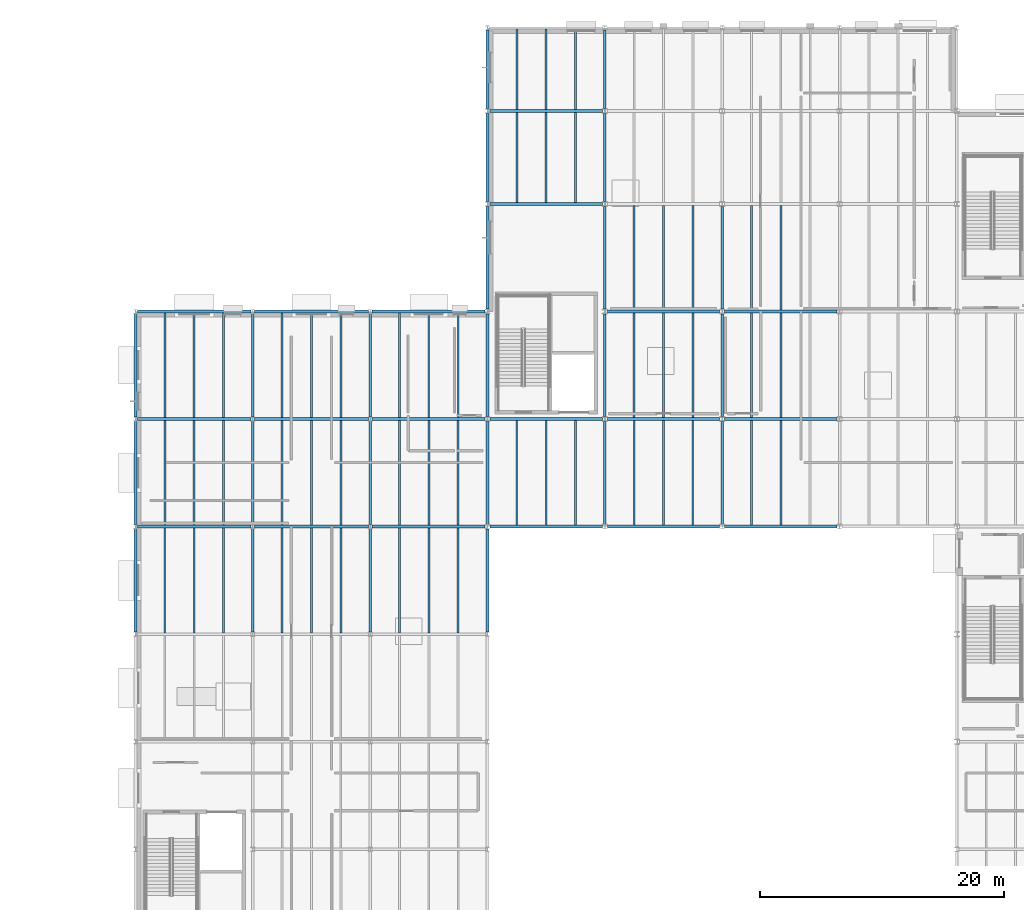
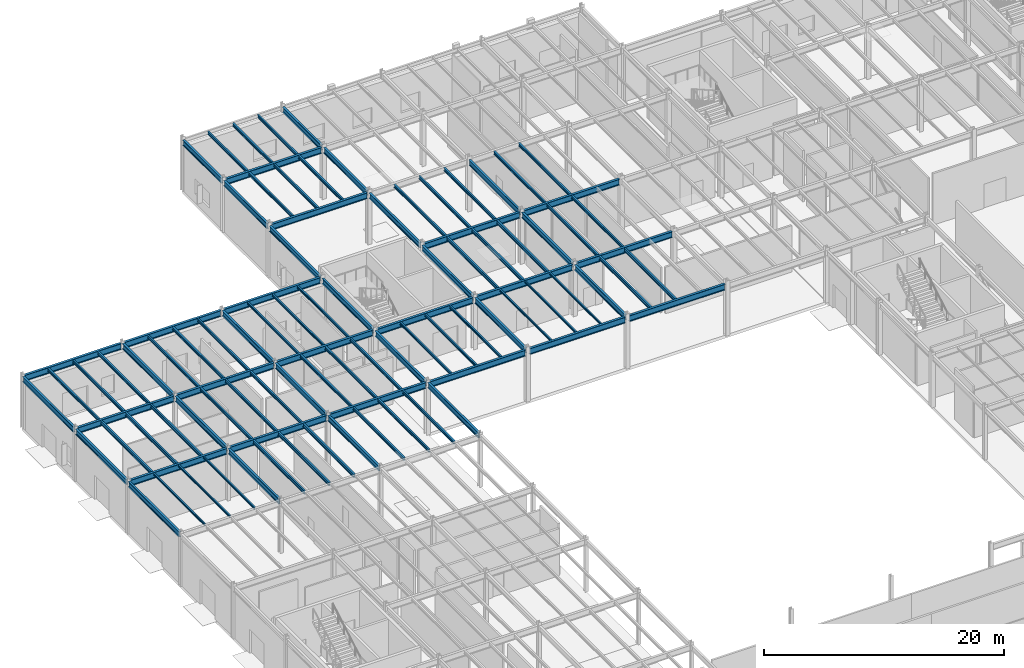
# One storey, part 23 of 70: 93 beams.
"""IFC4 building model written with IfcOpenShell, lengths in metres."""

from ifc_helpers import new_model, si_unit, direction, frame, origin, origin_2d, place, context, subcontext, project, spatial, i_section, extrude, material, material_profile, profile_set, type_object, element, save


model = new_model("IFC4")

# Units and contexts
model_context = context("Model", 3, precision=1e-05, world=origin(), true_north=direction((0.0, 1.0)))
body_context = subcontext(model_context, "Body", "Model", "MODEL_VIEW")
ifc_project = project(units=[si_unit("LENGTHUNIT", "METRE"), si_unit("AREAUNIT", "SQUARE_METRE"), si_unit("VOLUMEUNIT", "CUBIC_METRE"), si_unit("PLANEANGLEUNIT", "RADIAN"), si_unit("MASSUNIT", "GRAM", prefix="KILO")], contexts=[model_context])

# Site, building, storey
site_placement = place(None, origin())
site = spatial("IfcSite", under=ifc_project, at=site_placement, CompositionType="ELEMENT")
building_placement = place(site_placement, origin())
building = spatial("IfcBuilding", under=site, at=building_placement, Name="Sarnbrook Museum", CompositionType="ELEMENT")
storey_placement = place(building_placement, origin())
storey = spatial("IfcBuildingStorey", under=building, at=storey_placement, Name="L00", CompositionType="ELEMENT", Elevation=0.0)

# Beams
ifc_material = material(Name="Structural Steel Grade 300PLUS (AS/NZS 3679.1, fy = 280 MPa for 17 < t <= 40 mm, 300 MPa for t <= 17 mm)", Category="steel")
ifc_material_profile_1 = material_profile(ifc_material, i_section(OverallWidth=0.208984375, OverallDepth=0.532958984375, WebThickness=0.01025390625, FlangeThickness=0.015625, FilletRadius=0.013916015625, at=origin_2d()), Name="530UB92.4")
ifc_profile_set_1 = profile_set([ifc_material_profile_1], Name="Structural Steel Grade 300PLUS (AS/NZS 3679.1, fy = 280 MPa for 17 < t <= 40 mm, 300 MPa for t <= 17 mm)")
beam_type_1 = type_object("IfcBeamType", Name="BM-UB530", PredefinedType="BEAM", material=ifc_profile_set_1)
for number, where, z_axis, x_axis, name in (
    (1, (13.60009765625, 65.763427734375, 5.08349609375), (0.0, 1.0, 0.0), (-1.0, 0.0, 0.0), "Girder 2:H-J L00"),
    (2, (13.60009765625, 74.5634765625, 5.08349609375), (0.0, 1.0, 0.0), (-1.0, 0.0, 0.0), "Girder 2:J-K L00"),
):
    element("IfcBeam", number, at=place(storey_placement, frame(where, z_axis=z_axis, x_axis=x_axis)), inside=storey, type_object=beam_type_1, Name=name, PredefinedType="BEAM", context=body_context, shape_type="SweptSolid", body=[
        extrude(i_section(OverallWidth=0.208984375, OverallDepth=0.532958984375, WebThickness=0.01025390625, FlangeThickness=0.015625, FilletRadius=0.013916015625, at=origin_2d()), origin(), (0.0, 0.0, 1.0), 8.47314453125),
    ])
beam_1_placement = place(storey_placement, frame((13.60009765625, 83.363525390625, 5.08349609375), z_axis=(0.0, 1.0, 0.0), x_axis=(-1.0, 0.0, 0.0)))
element("IfcBeam", 3, at=beam_1_placement, inside=storey, type_object=beam_type_1, Name="Girder 2:K-L L00", PredefinedType="BEAM", context=body_context, shape_type="SweptSolid", body=[
    extrude(i_section(OverallWidth=0.208984375, OverallDepth=0.532958984375, WebThickness=0.01025390625, FlangeThickness=0.015625, FilletRadius=0.013916015625, at=origin_2d()), origin(), (0.0, 0.0, 1.0), 8.472900390625),
])
for number, where, z_axis, x_axis, name in (
    (4, (23.199951171875, 65.763427734375, 5.08349609375), (0.0, 1.0, 0.0), (-1.0, 0.0, 0.0), "Girder 3:H-J L00"),
    (5, (23.199951171875, 74.5634765625, 5.08349609375), (0.0, 1.0, 0.0), (-1.0, 0.0, 0.0), "Girder 3:J-K L00"),
):
    element("IfcBeam", number, at=place(storey_placement, frame(where, z_axis=z_axis, x_axis=x_axis)), inside=storey, type_object=beam_type_1, Name=name, PredefinedType="BEAM", context=body_context, shape_type="SweptSolid", body=[
        extrude(i_section(OverallWidth=0.208984375, OverallDepth=0.532958984375, WebThickness=0.01025390625, FlangeThickness=0.015625, FilletRadius=0.013916015625, at=origin_2d()), origin(), (0.0, 0.0, 1.0), 8.47314453125),
    ])
beam_2_placement = place(storey_placement, frame((23.199951171875, 83.363525390625, 5.08349609375), z_axis=(0.0, 1.0, 0.0), x_axis=(-1.0, 0.0, 0.0)))
element("IfcBeam", 6, at=beam_2_placement, inside=storey, type_object=beam_type_1, Name="Girder 3:K-L L00", PredefinedType="BEAM", context=body_context, shape_type="SweptSolid", body=[
    extrude(i_section(OverallWidth=0.208984375, OverallDepth=0.532958984375, WebThickness=0.01025390625, FlangeThickness=0.015625, FilletRadius=0.013916015625, at=origin_2d()), origin(), (0.0, 0.0, 1.0), 8.472900390625),
])
for number, where, z_axis, x_axis, name in (
    (7, (32.800048828125, 65.763427734375, 5.08349609375), (0.0, 1.0, 0.0), (-1.0, 0.0, 0.0), "Girder 4:H-J L00"),
    (8, (32.800048828125, 74.5634765625, 5.08349609375), (0.0, 1.0, 0.0), (-1.0, 0.0, 0.0), "Girder 4:J-K L00"),
):
    element("IfcBeam", number, at=place(storey_placement, frame(where, z_axis=z_axis, x_axis=x_axis)), inside=storey, type_object=beam_type_1, Name=name, PredefinedType="BEAM", context=body_context, shape_type="SweptSolid", body=[
        extrude(i_section(OverallWidth=0.208984375, OverallDepth=0.532958984375, WebThickness=0.01025390625, FlangeThickness=0.015625, FilletRadius=0.013916015625, at=origin_2d()), origin(), (0.0, 0.0, 1.0), 8.47314453125),
    ])
beam_3_placement = place(storey_placement, frame((32.800048828125, 83.363525390625, 5.08349609375), z_axis=(0.0, 1.0, 0.0), x_axis=(-1.0, 0.0, 0.0)))
element("IfcBeam", 9, at=beam_3_placement, inside=storey, type_object=beam_type_1, Name="Girder 4:K-L L00", PredefinedType="BEAM", context=body_context, shape_type="SweptSolid", body=[
    extrude(i_section(OverallWidth=0.208984375, OverallDepth=0.532958984375, WebThickness=0.01025390625, FlangeThickness=0.015625, FilletRadius=0.013916015625, at=origin_2d()), origin(), (0.0, 0.0, 1.0), 8.472900390625),
])
beam_4_placement = place(storey_placement, frame((42.39990234375, 65.763427734375, 5.08349609375), z_axis=(0.0, 1.0, 0.0), x_axis=(-1.0, 0.0, 0.0)))
element("IfcBeam", 10, at=beam_4_placement, inside=storey, type_object=beam_type_1, Name="Girder 5:H-J L00", PredefinedType="BEAM", context=body_context, shape_type="SweptSolid", body=[
    extrude(i_section(OverallWidth=0.208984375, OverallDepth=0.532958984375, WebThickness=0.01025390625, FlangeThickness=0.015625, FilletRadius=0.013916015625, at=origin_2d()), origin(), (0.0, 0.0, 1.0), 8.445556640625),
])
for number, where, z_axis, x_axis, name in (
    (11, (42.39990234375, 74.591064453125, 5.013427734375), (0.0, 1.0, 0.0), (-1.0, 0.0, 0.0), "Girder 5:J-K L00"),
    (12, (42.39990234375, 83.39111328125, 5.013427734375), (0.0, 1.0, 0.0), (-1.0, 0.0, 0.0), "Girder 5:K-L L00"),
    (13, (42.39990234375, 92.19091796875, 5.013427734375), (0.0, 1.0, 0.0), (-1.0, 0.0, 0.0), "Girder 5:L-M L00"),
):
    element("IfcBeam", number, at=place(storey_placement, frame(where, z_axis=z_axis, x_axis=x_axis)), inside=storey, type_object=beam_type_1, Name=name, PredefinedType="BEAM", context=body_context, shape_type="SweptSolid", body=[
        extrude(i_section(OverallWidth=0.208984375, OverallDepth=0.532958984375, WebThickness=0.01025390625, FlangeThickness=0.015625, FilletRadius=0.013916015625, at=origin_2d()), origin(), (0.0, 0.0, 1.0), 8.41796875),
    ])
beam_5_placement = place(storey_placement, frame((42.39990234375, 100.990966796875, 5.013427734375), z_axis=(0.0, 1.0, 0.0), x_axis=(-1.0, 0.0, 0.0)))
element("IfcBeam", 14, at=beam_5_placement, inside=storey, type_object=beam_type_1, Name="Girder 5:M-N L00", PredefinedType="BEAM", context=body_context, shape_type="SweptSolid", body=[
    extrude(i_section(OverallWidth=0.208984375, OverallDepth=0.532958984375, WebThickness=0.01025390625, FlangeThickness=0.015625, FilletRadius=0.013916015625, at=origin_2d()), origin(), (0.0, 0.0, 1.0), 7.218017578125),
])
beam_6_placement = place(storey_placement, frame((42.39990234375, 108.591064453125, 5.013427734375), z_axis=(0.0, 1.0, 0.0), x_axis=(-1.0, 0.0, 0.0)))
element("IfcBeam", 15, at=beam_6_placement, inside=storey, type_object=beam_type_1, Name="Girder 5:N-P L00", PredefinedType="BEAM", context=body_context, shape_type="SweptSolid", body=[
    extrude(i_section(OverallWidth=0.208984375, OverallDepth=0.532958984375, WebThickness=0.01025390625, FlangeThickness=0.015625, FilletRadius=0.013916015625, at=origin_2d()), origin(), (0.0, 0.0, 1.0), 6.445556640625),
])
for number, where, z_axis, x_axis, name in (
    (16, (52.0, 74.591064453125, 5.013427734375), (0.0, 1.0, 0.0), (-1.0, 0.0, 0.0), "Girder 6:J-K L00"),
    (17, (52.0, 83.39111328125, 5.013427734375), (0.0, 1.0, 0.0), (-1.0, 0.0, 0.0), "Girder 6:K-L L00"),
    (18, (52.0, 92.19091796875, 5.013427734375), (0.0, 1.0, 0.0), (-1.0, 0.0, 0.0), "Girder 6:L-M L00"),
):
    element("IfcBeam", number, at=place(storey_placement, frame(where, z_axis=z_axis, x_axis=x_axis)), inside=storey, type_object=beam_type_1, Name=name, PredefinedType="BEAM", context=body_context, shape_type="SweptSolid", body=[
        extrude(i_section(OverallWidth=0.208984375, OverallDepth=0.532958984375, WebThickness=0.01025390625, FlangeThickness=0.015625, FilletRadius=0.013916015625, at=origin_2d()), origin(), (0.0, 0.0, 1.0), 8.41796875),
    ])
beam_7_placement = place(storey_placement, frame((52.0, 100.990966796875, 5.013427734375), z_axis=(0.0, 1.0, 0.0), x_axis=(-1.0, 0.0, 0.0)))
element("IfcBeam", 19, at=beam_7_placement, inside=storey, type_object=beam_type_1, Name="Girder 6:M-N L00", PredefinedType="BEAM", context=body_context, shape_type="SweptSolid", body=[
    extrude(i_section(OverallWidth=0.208984375, OverallDepth=0.532958984375, WebThickness=0.01025390625, FlangeThickness=0.015625, FilletRadius=0.013916015625, at=origin_2d()), origin(), (0.0, 0.0, 1.0), 7.218017578125),
])
beam_8_placement = place(storey_placement, frame((52.0, 108.591064453125, 5.013427734375), z_axis=(0.0, 1.0, 0.0), x_axis=(-1.0, 0.0, 0.0)))
element("IfcBeam", 20, at=beam_8_placement, inside=storey, type_object=beam_type_1, Name="Girder 6:N-P L00", PredefinedType="BEAM", context=body_context, shape_type="SweptSolid", body=[
    extrude(i_section(OverallWidth=0.208984375, OverallDepth=0.532958984375, WebThickness=0.01025390625, FlangeThickness=0.015625, FilletRadius=0.013916015625, at=origin_2d()), origin(), (0.0, 0.0, 1.0), 6.445556640625),
])
for number, where, z_axis, x_axis, name in (
    (21, (61.60009765625, 74.591064453125, 5.013427734375), (0.0, 1.0, 0.0), (-1.0, 0.0, 0.0), "Girder 7:J-K L00"),
    (22, (61.60009765625, 83.39111328125, 5.013427734375), (0.0, 1.0, 0.0), (-1.0, 0.0, 0.0), "Girder 7:K-L L00"),
    (23, (61.60009765625, 92.19091796875, 5.013427734375), (0.0, 1.0, 0.0), (-1.0, 0.0, 0.0), "Girder 7:L-M L00"),
):
    element("IfcBeam", number, at=place(storey_placement, frame(where, z_axis=z_axis, x_axis=x_axis)), inside=storey, type_object=beam_type_1, Name=name, PredefinedType="BEAM", context=body_context, shape_type="SweptSolid", body=[
        extrude(i_section(OverallWidth=0.208984375, OverallDepth=0.532958984375, WebThickness=0.01025390625, FlangeThickness=0.015625, FilletRadius=0.013916015625, at=origin_2d()), origin(), (0.0, 0.0, 1.0), 8.41796875),
    ])
ifc_material_profile_2 = material_profile(ifc_material, i_section(OverallWidth=0.22900390625, OverallDepth=0.612060546875, WebThickness=0.011962890625, FlangeThickness=0.01953125, FilletRadius=0.013916015625, at=origin_2d()), Name="610UB125")
ifc_profile_set_2 = profile_set([ifc_material_profile_2], Name="Structural Steel Grade 300PLUS (AS/NZS 3679.1, fy = 280 MPa for 17 < t <= 40 mm, 300 MPa for t <= 17 mm)")
beam_type_2 = type_object("IfcBeamType", Name="BM-UB610H", PredefinedType="BEAM", material=ifc_profile_set_2)
beam_9_placement = place(storey_placement, frame((13.755615234375, 74.39990234375, 5.0439453125), z_axis=(1.0, 0.0, 0.0), x_axis=(0.0, 1.0, 0.0)))
element("IfcBeam", 24, at=beam_9_placement, inside=storey, type_object=beam_type_2, Name="Girder J:2-3 L00", PredefinedType="BEAM", context=body_context, shape_type="SweptSolid", body=[
    extrude(i_section(OverallWidth=0.22900390625, OverallDepth=0.612060546875, WebThickness=0.011962890625, FlangeThickness=0.01953125, FilletRadius=0.013916015625, at=origin_2d()), origin(), (0.0, 0.0, 1.0), 9.288818359375),
])
beam_10_placement = place(storey_placement, frame((23.35546875, 74.39990234375, 5.0439453125), z_axis=(1.0, 0.0, 0.0), x_axis=(0.0, 1.0, 0.0)))
element("IfcBeam", 25, at=beam_10_placement, inside=storey, type_object=beam_type_2, Name="Girder J:3-4 L00", PredefinedType="BEAM", context=body_context, shape_type="SweptSolid", body=[
    extrude(i_section(OverallWidth=0.22900390625, OverallDepth=0.612060546875, WebThickness=0.011962890625, FlangeThickness=0.01953125, FilletRadius=0.013916015625, at=origin_2d()), origin(), (0.0, 0.0, 1.0), 9.2890625),
])
beam_11_placement = place(storey_placement, frame((32.95556640625, 74.39990234375, 5.0439453125), z_axis=(1.0, 0.0, 0.0), x_axis=(0.0, 1.0, 0.0)))
element("IfcBeam", 26, at=beam_11_placement, inside=storey, type_object=beam_type_2, Name="Girder J:4-5 L00", PredefinedType="BEAM", context=body_context, shape_type="SweptSolid", body=[
    extrude(i_section(OverallWidth=0.22900390625, OverallDepth=0.612060546875, WebThickness=0.011962890625, FlangeThickness=0.01953125, FilletRadius=0.013916015625, at=origin_2d()), origin(), (0.0, 0.0, 1.0), 9.244384765625),
])
for number, where, z_axis, x_axis, name in (
    (27, (42.60009765625, 74.39990234375, 4.97412109375), (1.0, 0.0, 0.0), (0.0, 1.0, 0.0), "Girder J:5-6 L00"),
    (28, (52.199951171875, 74.39990234375, 4.97412109375), (1.0, 0.0, 0.0), (0.0, 1.0, 0.0), "Girder J:6-7 L00"),
    (29, (61.800048828125, 74.39990234375, 4.97412109375), (1.0, 0.0, 0.0), (0.0, 1.0, 0.0), "Girder J:7-8 L00"),
):
    element("IfcBeam", number, at=place(storey_placement, frame(where, z_axis=z_axis, x_axis=x_axis)), inside=storey, type_object=beam_type_2, Name=name, PredefinedType="BEAM", context=body_context, shape_type="SweptSolid", body=[
        extrude(i_section(OverallWidth=0.22900390625, OverallDepth=0.612060546875, WebThickness=0.011962890625, FlangeThickness=0.01953125, FilletRadius=0.013916015625, at=origin_2d()), origin(), (0.0, 0.0, 1.0), 9.199951171875),
    ])
beam_12_placement = place(storey_placement, frame((13.755615234375, 83.199951171875, 5.0439453125), z_axis=(1.0, 0.0, 0.0), x_axis=(0.0, 1.0, 0.0)))
element("IfcBeam", 30, at=beam_12_placement, inside=storey, type_object=beam_type_2, Name="Girder K:2-3 L00", PredefinedType="BEAM", context=body_context, shape_type="SweptSolid", body=[
    extrude(i_section(OverallWidth=0.22900390625, OverallDepth=0.612060546875, WebThickness=0.011962890625, FlangeThickness=0.01953125, FilletRadius=0.013916015625, at=origin_2d()), origin(), (0.0, 0.0, 1.0), 9.288818359375),
])
beam_13_placement = place(storey_placement, frame((23.35546875, 83.199951171875, 5.0439453125), z_axis=(1.0, 0.0, 0.0), x_axis=(0.0, 1.0, 0.0)))
element("IfcBeam", 31, at=beam_13_placement, inside=storey, type_object=beam_type_2, Name="Girder K:3-4 L00", PredefinedType="BEAM", context=body_context, shape_type="SweptSolid", body=[
    extrude(i_section(OverallWidth=0.22900390625, OverallDepth=0.612060546875, WebThickness=0.011962890625, FlangeThickness=0.01953125, FilletRadius=0.013916015625, at=origin_2d()), origin(), (0.0, 0.0, 1.0), 9.2890625),
])
beam_14_placement = place(storey_placement, frame((32.95556640625, 83.199951171875, 5.0439453125), z_axis=(1.0, 0.0, 0.0), x_axis=(0.0, 1.0, 0.0)))
element("IfcBeam", 32, at=beam_14_placement, inside=storey, type_object=beam_type_2, Name="Girder K:4-5 L00", PredefinedType="BEAM", context=body_context, shape_type="SweptSolid", body=[
    extrude(i_section(OverallWidth=0.22900390625, OverallDepth=0.612060546875, WebThickness=0.011962890625, FlangeThickness=0.01953125, FilletRadius=0.013916015625, at=origin_2d()), origin(), (0.0, 0.0, 1.0), 9.244384765625),
])
for number, where, z_axis, x_axis, name in (
    (33, (42.60009765625, 83.199951171875, 4.97412109375), (1.0, 0.0, 0.0), (0.0, 1.0, 0.0), "Girder K:5-6 L00"),
    (34, (52.199951171875, 83.199951171875, 4.97412109375), (1.0, 0.0, 0.0), (0.0, 1.0, 0.0), "Girder K:6-7 L00"),
    (35, (61.800048828125, 83.199951171875, 4.97412109375), (1.0, 0.0, 0.0), (0.0, 1.0, 0.0), "Girder K:7-8 L00"),
):
    element("IfcBeam", number, at=place(storey_placement, frame(where, z_axis=z_axis, x_axis=x_axis)), inside=storey, type_object=beam_type_2, Name=name, PredefinedType="BEAM", context=body_context, shape_type="SweptSolid", body=[
        extrude(i_section(OverallWidth=0.22900390625, OverallDepth=0.612060546875, WebThickness=0.011962890625, FlangeThickness=0.01953125, FilletRadius=0.013916015625, at=origin_2d()), origin(), (0.0, 0.0, 1.0), 9.199951171875),
    ])
beam_15_placement = place(storey_placement, frame((13.755615234375, 92.0, 5.0439453125), z_axis=(1.0, 0.0, 0.0), x_axis=(0.0, 1.0, 0.0)))
element("IfcBeam", 36, at=beam_15_placement, inside=storey, type_object=beam_type_2, Name="Girder L:2-3 L00", PredefinedType="BEAM", context=body_context, shape_type="SweptSolid", body=[
    extrude(i_section(OverallWidth=0.22900390625, OverallDepth=0.612060546875, WebThickness=0.011962890625, FlangeThickness=0.01953125, FilletRadius=0.013916015625, at=origin_2d()), origin(), (0.0, 0.0, 1.0), 9.288818359375),
])
beam_16_placement = place(storey_placement, frame((23.35546875, 92.0, 5.0439453125), z_axis=(1.0, 0.0, 0.0), x_axis=(0.0, 1.0, 0.0)))
element("IfcBeam", 37, at=beam_16_placement, inside=storey, type_object=beam_type_2, Name="Girder L:3-4 L00", PredefinedType="BEAM", context=body_context, shape_type="SweptSolid", body=[
    extrude(i_section(OverallWidth=0.22900390625, OverallDepth=0.612060546875, WebThickness=0.011962890625, FlangeThickness=0.01953125, FilletRadius=0.013916015625, at=origin_2d()), origin(), (0.0, 0.0, 1.0), 9.2890625),
])
beam_17_placement = place(storey_placement, frame((32.95556640625, 92.0, 5.0439453125), z_axis=(1.0, 0.0, 0.0), x_axis=(0.0, 1.0, 0.0)))
element("IfcBeam", 38, at=beam_17_placement, inside=storey, type_object=beam_type_2, Name="Girder L:4-5 L00", PredefinedType="BEAM", context=body_context, shape_type="SweptSolid", body=[
    extrude(i_section(OverallWidth=0.22900390625, OverallDepth=0.612060546875, WebThickness=0.011962890625, FlangeThickness=0.01953125, FilletRadius=0.013916015625, at=origin_2d()), origin(), (0.0, 0.0, 1.0), 9.244384765625),
])
for number, where, z_axis, x_axis, name in (
    (39, (52.199951171875, 92.0, 4.97412109375), (1.0, 0.0, 0.0), (0.0, 1.0, 0.0), "Girder L:6-7 L00"),
    (40, (61.800048828125, 92.0, 4.97412109375), (1.0, 0.0, 0.0), (0.0, 1.0, 0.0), "Girder L:7-8 L00"),
    (41, (42.60009765625, 100.800048828125, 4.97412109375), (1.0, 0.0, 0.0), (0.0, 1.0, 0.0), "Girder M:5-6 L00"),
    (42, (42.60009765625, 108.39990234375, 4.97412109375), (1.0, 0.0, 0.0), (0.0, 1.0, 0.0), "Girder N:5-6 L00"),
):
    element("IfcBeam", number, at=place(storey_placement, frame(where, z_axis=z_axis, x_axis=x_axis)), inside=storey, type_object=beam_type_2, Name=name, PredefinedType="BEAM", context=body_context, shape_type="SweptSolid", body=[
        extrude(i_section(OverallWidth=0.22900390625, OverallDepth=0.612060546875, WebThickness=0.011962890625, FlangeThickness=0.01953125, FilletRadius=0.013916015625, at=origin_2d()), origin(), (0.0, 0.0, 1.0), 9.199951171875),
    ])
ifc_material_profile_3 = material_profile(ifc_material, i_section(OverallWidth=0.134033203125, OverallDepth=0.20703125, WebThickness=0.00634765625, FlangeThickness=0.009521484375, FilletRadius=0.0087890625, at=origin_2d()), Name="200UB29.8")
ifc_profile_set_3 = profile_set([ifc_material_profile_3], Name="Structural Steel Grade 300PLUS (AS/NZS 3679.1, fy = 280 MPa for 17 < t <= 40 mm, 300 MPa for t <= 17 mm)")
beam_type_3 = type_object("IfcBeamType", Name="JS-UB200", PredefinedType="JOIST", material=ifc_profile_set_3)
for number, where, z_axis, x_axis, name in (
    (43, (16.0, 65.714599609375, 5.24658203125), (0.0, 1.0, 0.0), (-1.0, 0.0, 0.0), "Composite Floor Joist 2H-1 L00"),
    (44, (18.39990234375, 65.714599609375, 5.24658203125), (0.0, 1.0, 0.0), (-1.0, 0.0, 0.0), "Composite Floor Joist 2H-2 L00"),
    (45, (20.800048828125, 65.714599609375, 5.24658203125), (0.0, 1.0, 0.0), (-1.0, 0.0, 0.0), "Composite Floor Joist 2H-3 L00"),
):
    element("IfcBeam", number, at=place(storey_placement, frame(where, z_axis=z_axis, x_axis=x_axis)), inside=storey, type_object=beam_type_3, Name=name, PredefinedType="JOIST", context=body_context, shape_type="SweptSolid", body=[
        extrude(i_section(OverallWidth=0.134033203125, OverallDepth=0.20703125, WebThickness=0.00634765625, FlangeThickness=0.009521484375, FilletRadius=0.0087890625, at=origin_2d()), origin(), (0.0, 0.0, 1.0), 8.57080078125),
    ])
for number, where, z_axis, x_axis, name in (
    (46, (54.39990234375, 74.514404296875, 5.176513671875), (0.0, 1.0, 0.0), (-1.0, 0.0, 0.0), "Composite Floor Joist 6J-1 L00"),
    (47, (56.800048828125, 74.514404296875, 5.176513671875), (0.0, 1.0, 0.0), (-1.0, 0.0, 0.0), "Composite Floor Joist 6J-2 L00"),
    (48, (59.199951171875, 74.514404296875, 5.176513671875), (0.0, 1.0, 0.0), (-1.0, 0.0, 0.0), "Composite Floor Joist 6J-3 L00"),
):
    element("IfcBeam", number, at=place(storey_placement, frame(where, z_axis=z_axis, x_axis=x_axis)), inside=storey, type_object=beam_type_3, Name=name, PredefinedType="JOIST", context=body_context, shape_type="SweptSolid", body=[
        extrude(i_section(OverallWidth=0.134033203125, OverallDepth=0.20703125, WebThickness=0.00634765625, FlangeThickness=0.009521484375, FilletRadius=0.0087890625, at=origin_2d()), origin(), (0.0, 0.0, 1.0), 8.571044921875),
    ])
ifc_material_profile_4 = material_profile(ifc_material, i_section(OverallWidth=0.14599609375, OverallDepth=0.256103515625, WebThickness=0.00634765625, FlangeThickness=0.010986328125, FilletRadius=0.0087890625, at=origin_2d()), Name="250UB37.3")
ifc_profile_set_4 = profile_set([ifc_material_profile_4], Name="Structural Steel Grade 300PLUS (AS/NZS 3679.1, fy = 280 MPa for 17 < t <= 40 mm, 300 MPa for t <= 17 mm)")
beam_type_4 = type_object("IfcBeamType", Name="JS-UB250", PredefinedType="JOIST", material=ifc_profile_set_4)
for number, where, z_axis, x_axis, name in (
    (49, (35.199951171875, 83.314453125, 5.221923828125), (0.0, 1.0, 0.0), (-1.0, 0.0, 0.0), "Composite Floor Joist 4K-1 L00"),
    (50, (37.60009765625, 83.314453125, 5.221923828125), (0.0, 1.0, 0.0), (-1.0, 0.0, 0.0), "Composite Floor Joist 4K-2 L00"),
    (51, (40.0, 83.314453125, 5.221923828125), (0.0, 1.0, 0.0), (-1.0, 0.0, 0.0), "Composite Floor Joist 4K-3 L00"),
    (52, (44.800048828125, 74.514404296875, 5.152099609375), (0.0, 1.0, 0.0), (-1.0, 0.0, 0.0), "Composite Floor Joist 5J-1 L00"),
    (53, (47.199951171875, 74.514404296875, 5.152099609375), (0.0, 1.0, 0.0), (-1.0, 0.0, 0.0), "Composite Floor Joist 5J-2 L00"),
    (54, (49.60009765625, 74.514404296875, 5.152099609375), (0.0, 1.0, 0.0), (-1.0, 0.0, 0.0), "Composite Floor Joist 5J-3 L00"),
):
    element("IfcBeam", number, at=place(storey_placement, frame(where, z_axis=z_axis, x_axis=x_axis)), inside=storey, type_object=beam_type_4, Name=name, PredefinedType="JOIST", context=body_context, shape_type="SweptSolid", body=[
        extrude(i_section(OverallWidth=0.14599609375, OverallDepth=0.256103515625, WebThickness=0.00634765625, FlangeThickness=0.010986328125, FilletRadius=0.0087890625, at=origin_2d()), origin(), (0.0, 0.0, 1.0), 8.571044921875),
    ])
ifc_material_profile_5 = material_profile(ifc_material, i_section(OverallWidth=0.1650390625, OverallDepth=0.303955078125, WebThickness=0.006103515625, FlangeThickness=0.01025390625, FilletRadius=0.011474609375, at=origin_2d()), Name="310UB40.4")
ifc_profile_set_5 = profile_set([ifc_material_profile_5], Name="Structural Steel Grade 300PLUS (AS/NZS 3679.1, fy = 280 MPa for 17 < t <= 40 mm, 300 MPa for t <= 17 mm)")
beam_type_5 = type_object("IfcBeamType", Name="JS-UB310", PredefinedType="JOIST", material=ifc_profile_set_5)
for number, where, z_axis, x_axis, name in (
    (55, (25.60009765625, 83.314453125, 5.197998046875), (0.0, 1.0, 0.0), (-1.0, 0.0, 0.0), "Composite Floor Joist 3K-1 L00"),
    (56, (28.0, 83.314453125, 5.197998046875), (0.0, 1.0, 0.0), (-1.0, 0.0, 0.0), "Composite Floor Joist 3K-2 L00"),
    (57, (30.39990234375, 83.314453125, 5.197998046875), (0.0, 1.0, 0.0), (-1.0, 0.0, 0.0), "Composite Floor Joist 3K-3 L00"),
    (58, (35.199951171875, 74.514404296875, 5.197998046875), (0.0, 1.0, 0.0), (-1.0, 0.0, 0.0), "Composite Floor Joist 4J-1 L00"),
    (59, (37.60009765625, 74.514404296875, 5.197998046875), (0.0, 1.0, 0.0), (-1.0, 0.0, 0.0), "Composite Floor Joist 4J-2 L00"),
    (60, (40.0, 74.514404296875, 5.197998046875), (0.0, 1.0, 0.0), (-1.0, 0.0, 0.0), "Composite Floor Joist 4J-3 L00"),
):
    element("IfcBeam", number, at=place(storey_placement, frame(where, z_axis=z_axis, x_axis=x_axis)), inside=storey, type_object=beam_type_5, Name=name, PredefinedType="JOIST", context=body_context, shape_type="SweptSolid", body=[
        extrude(i_section(OverallWidth=0.1650390625, OverallDepth=0.303955078125, WebThickness=0.006103515625, FlangeThickness=0.01025390625, FilletRadius=0.011474609375, at=origin_2d()), origin(), (0.0, 0.0, 1.0), 8.571044921875),
    ])
for number, where, z_axis, x_axis, name in (
    (61, (44.800048828125, 108.514404296875, 5.1279296875), (0.0, 1.0, 0.0), (-1.0, 0.0, 0.0), "Composite Floor Joist 5N-1 L00"),
    (62, (47.199951171875, 108.514404296875, 5.1279296875), (0.0, 1.0, 0.0), (-1.0, 0.0, 0.0), "Composite Floor Joist 5N-2 L00"),
    (63, (49.60009765625, 108.514404296875, 5.1279296875), (0.0, 1.0, 0.0), (-1.0, 0.0, 0.0), "Composite Floor Joist 5N-3 L00"),
):
    element("IfcBeam", number, at=place(storey_placement, frame(where, z_axis=z_axis, x_axis=x_axis)), inside=storey, type_object=beam_type_5, Name=name, PredefinedType="JOIST", context=body_context, shape_type="SweptSolid", body=[
        extrude(i_section(OverallWidth=0.1650390625, OverallDepth=0.303955078125, WebThickness=0.006103515625, FlangeThickness=0.01025390625, FilletRadius=0.011474609375, at=origin_2d()), origin(), (0.0, 0.0, 1.0), 6.5966796875),
    ])
for number, where, z_axis, x_axis, name in (
    (64, (64.0, 92.114501953125, 5.1279296875), (0.0, 1.0, 0.0), (-1.0, 0.0, 0.0), "Composite Floor Joist 7L-1 L00"),
    (65, (66.39990234375, 92.114501953125, 5.1279296875), (0.0, 1.0, 0.0), (-1.0, 0.0, 0.0), "Composite Floor Joist 7L-2 L00"),
):
    element("IfcBeam", number, at=place(storey_placement, frame(where, z_axis=z_axis, x_axis=x_axis)), inside=storey, type_object=beam_type_5, Name=name, PredefinedType="JOIST", context=body_context, shape_type="SweptSolid", body=[
        extrude(i_section(OverallWidth=0.1650390625, OverallDepth=0.303955078125, WebThickness=0.006103515625, FlangeThickness=0.01025390625, FilletRadius=0.011474609375, at=origin_2d()), origin(), (0.0, 0.0, 1.0), 8.571044921875),
    ])
ifc_material_profile_6 = material_profile(ifc_material, i_section(OverallWidth=0.166015625, OverallDepth=0.306884765625, WebThickness=0.006591796875, FlangeThickness=0.01171875, FilletRadius=0.011474609375, at=origin_2d()), Name="310UB46.2")
ifc_profile_set_6 = profile_set([ifc_material_profile_6], Name="Structural Steel Grade 300PLUS (AS/NZS 3679.1, fy = 280 MPa for 17 < t <= 40 mm, 300 MPa for t <= 17 mm)")
beam_type_6 = type_object("IfcBeamType", Name="JS-UB310H", PredefinedType="JOIST", material=ifc_profile_set_6)
for number, where, z_axis, x_axis, name in (
    (66, (16.0, 83.314453125, 5.196533203125), (0.0, 1.0, 0.0), (-1.0, 0.0, 0.0), "Composite Floor Joist 2K-1 L00"),
    (67, (18.39990234375, 83.314453125, 5.196533203125), (0.0, 1.0, 0.0), (-1.0, 0.0, 0.0), "Composite Floor Joist 2K-2 L00"),
    (68, (20.800048828125, 83.314453125, 5.196533203125), (0.0, 1.0, 0.0), (-1.0, 0.0, 0.0), "Composite Floor Joist 2K-3 L00"),
    (69, (25.60009765625, 74.514404296875, 5.196533203125), (0.0, 1.0, 0.0), (-1.0, 0.0, 0.0), "Composite Floor Joist 3J-1 L00"),
    (70, (28.0, 74.514404296875, 5.196533203125), (0.0, 1.0, 0.0), (-1.0, 0.0, 0.0), "Composite Floor Joist 3J-2 L00"),
    (71, (30.39990234375, 74.514404296875, 5.196533203125), (0.0, 1.0, 0.0), (-1.0, 0.0, 0.0), "Composite Floor Joist 3J-3 L00"),
):
    element("IfcBeam", number, at=place(storey_placement, frame(where, z_axis=z_axis, x_axis=x_axis)), inside=storey, type_object=beam_type_6, Name=name, PredefinedType="JOIST", context=body_context, shape_type="SweptSolid", body=[
        extrude(i_section(OverallWidth=0.166015625, OverallDepth=0.306884765625, WebThickness=0.006591796875, FlangeThickness=0.01171875, FilletRadius=0.011474609375, at=origin_2d()), origin(), (0.0, 0.0, 1.0), 8.571044921875),
    ])
for number, where, z_axis, x_axis, name in (
    (72, (35.199951171875, 65.714599609375, 5.196533203125), (0.0, 1.0, 0.0), (-1.0, 0.0, 0.0), "Composite Floor Joist 4H-1 L00"),
    (73, (37.60009765625, 65.714599609375, 5.196533203125), (0.0, 1.0, 0.0), (-1.0, 0.0, 0.0), "Composite Floor Joist 4H-2 L00"),
    (74, (40.0, 65.714599609375, 5.196533203125), (0.0, 1.0, 0.0), (-1.0, 0.0, 0.0), "Composite Floor Joist 4H-3 L00"),
):
    element("IfcBeam", number, at=place(storey_placement, frame(where, z_axis=z_axis, x_axis=x_axis)), inside=storey, type_object=beam_type_6, Name=name, PredefinedType="JOIST", context=body_context, shape_type="SweptSolid", body=[
        extrude(i_section(OverallWidth=0.166015625, OverallDepth=0.306884765625, WebThickness=0.006591796875, FlangeThickness=0.01171875, FilletRadius=0.011474609375, at=origin_2d()), origin(), (0.0, 0.0, 1.0), 8.57080078125),
    ])
for number, where, z_axis, x_axis, name in (
    (75, (44.800048828125, 100.91455078125, 5.12646484375), (0.0, 1.0, 0.0), (-1.0, 0.0, 0.0), "Composite Floor Joist 5M-1 L00"),
    (76, (47.199951171875, 100.91455078125, 5.12646484375), (0.0, 1.0, 0.0), (-1.0, 0.0, 0.0), "Composite Floor Joist 5M-2 L00"),
    (77, (49.60009765625, 100.91455078125, 5.12646484375), (0.0, 1.0, 0.0), (-1.0, 0.0, 0.0), "Composite Floor Joist 5M-3 L00"),
):
    element("IfcBeam", number, at=place(storey_placement, frame(where, z_axis=z_axis, x_axis=x_axis)), inside=storey, type_object=beam_type_6, Name=name, PredefinedType="JOIST", context=body_context, shape_type="SweptSolid", body=[
        extrude(i_section(OverallWidth=0.166015625, OverallDepth=0.306884765625, WebThickness=0.006591796875, FlangeThickness=0.01171875, FilletRadius=0.011474609375, at=origin_2d()), origin(), (0.0, 0.0, 1.0), 7.370849609375),
    ])
for number, where, z_axis, x_axis, name in (
    (78, (54.39990234375, 92.114501953125, 5.12646484375), (0.0, 1.0, 0.0), (-1.0, 0.0, 0.0), "Composite Floor Joist 6L-1 L00"),
    (79, (56.800048828125, 92.114501953125, 5.12646484375), (0.0, 1.0, 0.0), (-1.0, 0.0, 0.0), "Composite Floor Joist 6L-2 L00"),
    (80, (59.199951171875, 92.114501953125, 5.12646484375), (0.0, 1.0, 0.0), (-1.0, 0.0, 0.0), "Composite Floor Joist 6L-3 L00"),
    (81, (64.0, 83.314453125, 5.12646484375), (0.0, 1.0, 0.0), (-1.0, 0.0, 0.0), "Composite Floor Joist 7K-1 L00"),
    (82, (66.39990234375, 83.314453125, 5.12646484375), (0.0, 1.0, 0.0), (-1.0, 0.0, 0.0), "Composite Floor Joist 7K-2 L00"),
):
    element("IfcBeam", number, at=place(storey_placement, frame(where, z_axis=z_axis, x_axis=x_axis)), inside=storey, type_object=beam_type_6, Name=name, PredefinedType="JOIST", context=body_context, shape_type="SweptSolid", body=[
        extrude(i_section(OverallWidth=0.166015625, OverallDepth=0.306884765625, WebThickness=0.006591796875, FlangeThickness=0.01171875, FilletRadius=0.011474609375, at=origin_2d()), origin(), (0.0, 0.0, 1.0), 8.571044921875),
    ])
ifc_material_profile_7 = material_profile(ifc_material, i_section(OverallWidth=0.1708984375, OverallDepth=0.35595703125, WebThickness=0.00732421875, FlangeThickness=0.011474609375, FilletRadius=0.011474609375, at=origin_2d()), Name="360UB50.7")
ifc_profile_set_7 = profile_set([ifc_material_profile_7], Name="Structural Steel Grade 300PLUS (AS/NZS 3679.1, fy = 280 MPa for 17 < t <= 40 mm, 300 MPa for t <= 17 mm)")
beam_type_7 = type_object("IfcBeamType", Name="JS-UB360", PredefinedType="JOIST", material=ifc_profile_set_7)
for number, where, z_axis, x_axis, name in (
    (83, (16.0, 74.514404296875, 5.172119140625), (0.0, 1.0, 0.0), (-1.0, 0.0, 0.0), "Composite Floor Joist 2J-1 L00"),
    (84, (18.39990234375, 74.514404296875, 5.172119140625), (0.0, 1.0, 0.0), (-1.0, 0.0, 0.0), "Composite Floor Joist 2J-2 L00"),
    (85, (20.800048828125, 74.514404296875, 5.172119140625), (0.0, 1.0, 0.0), (-1.0, 0.0, 0.0), "Composite Floor Joist 2J-3 L00"),
):
    element("IfcBeam", number, at=place(storey_placement, frame(where, z_axis=z_axis, x_axis=x_axis)), inside=storey, type_object=beam_type_7, Name=name, PredefinedType="JOIST", context=body_context, shape_type="SweptSolid", body=[
        extrude(i_section(OverallWidth=0.1708984375, OverallDepth=0.35595703125, WebThickness=0.00732421875, FlangeThickness=0.011474609375, FilletRadius=0.011474609375, at=origin_2d()), origin(), (0.0, 0.0, 1.0), 8.571044921875),
    ])
for number, where, z_axis, x_axis, name in (
    (86, (25.60009765625, 65.714599609375, 5.172119140625), (0.0, 1.0, 0.0), (-1.0, 0.0, 0.0), "Composite Floor Joist 3H-1 L00"),
    (87, (28.0, 65.714599609375, 5.172119140625), (0.0, 1.0, 0.0), (-1.0, 0.0, 0.0), "Composite Floor Joist 3H-2 L00"),
    (88, (30.39990234375, 65.714599609375, 5.172119140625), (0.0, 1.0, 0.0), (-1.0, 0.0, 0.0), "Composite Floor Joist 3H-3 L00"),
):
    element("IfcBeam", number, at=place(storey_placement, frame(where, z_axis=z_axis, x_axis=x_axis)), inside=storey, type_object=beam_type_7, Name=name, PredefinedType="JOIST", context=body_context, shape_type="SweptSolid", body=[
        extrude(i_section(OverallWidth=0.1708984375, OverallDepth=0.35595703125, WebThickness=0.00732421875, FlangeThickness=0.011474609375, FilletRadius=0.011474609375, at=origin_2d()), origin(), (0.0, 0.0, 1.0), 8.57080078125),
    ])
for number, where, z_axis, x_axis, name in (
    (89, (54.39990234375, 83.314453125, 5.10205078125), (0.0, 1.0, 0.0), (-1.0, 0.0, 0.0), "Composite Floor Joist 6K-1 L00"),
    (90, (56.800048828125, 83.314453125, 5.10205078125), (0.0, 1.0, 0.0), (-1.0, 0.0, 0.0), "Composite Floor Joist 6K-2 L00"),
    (91, (59.199951171875, 83.314453125, 5.10205078125), (0.0, 1.0, 0.0), (-1.0, 0.0, 0.0), "Composite Floor Joist 6K-3 L00"),
    (92, (64.0, 74.514404296875, 5.10205078125), (0.0, 1.0, 0.0), (-1.0, 0.0, 0.0), "Composite Floor Joist 7J-1 L00"),
    (93, (66.39990234375, 74.514404296875, 5.10205078125), (0.0, 1.0, 0.0), (-1.0, 0.0, 0.0), "Composite Floor Joist 7J-2 L00"),
):
    element("IfcBeam", number, at=place(storey_placement, frame(where, z_axis=z_axis, x_axis=x_axis)), inside=storey, type_object=beam_type_7, Name=name, PredefinedType="JOIST", context=body_context, shape_type="SweptSolid", body=[
        extrude(i_section(OverallWidth=0.1708984375, OverallDepth=0.35595703125, WebThickness=0.00732421875, FlangeThickness=0.011474609375, FilletRadius=0.011474609375, at=origin_2d()), origin(), (0.0, 0.0, 1.0), 8.571044921875),
    ])

save(model, "model.ifc")
